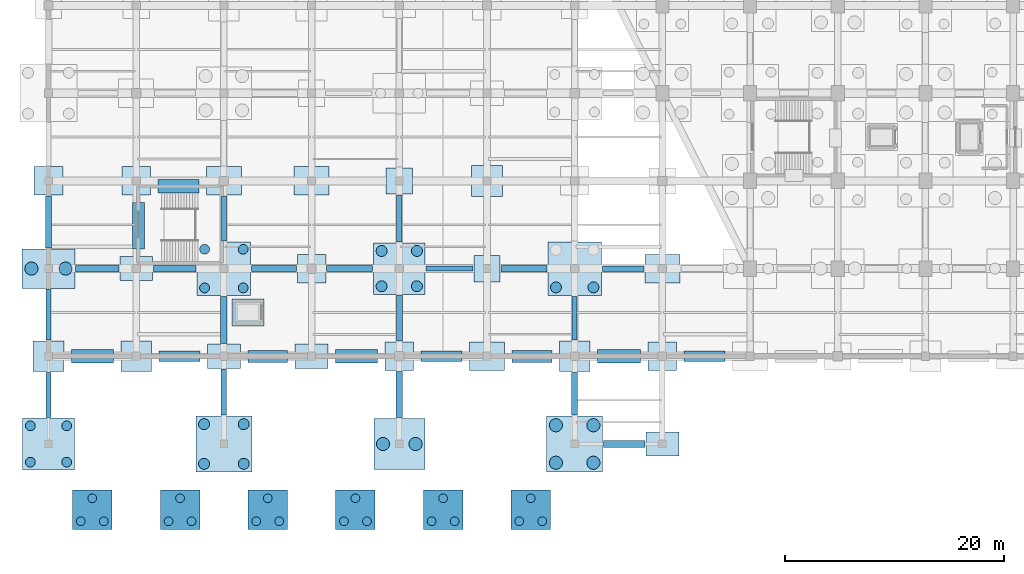
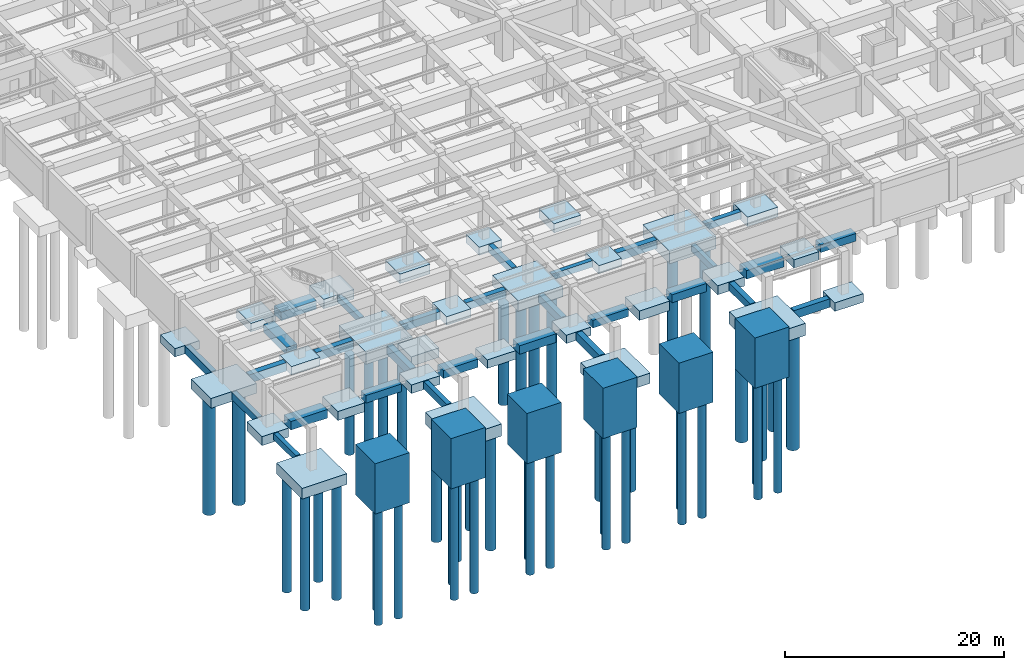
# One storey, part 1 of 36: 63 footings, 44 piles.
"""IFC4 building model written with IfcOpenShell, lengths in metres."""

from ifc_helpers import new_model, si_unit, direction, frame, origin, origin_2d, place, context, subcontext, project, spatial, rectangle, circle, extrude, material, material_profile, profile_set, type_object, element, save


model = new_model("IFC4")

# Units and contexts
model_context = context("Model", 3, precision=1e-05, world=origin(), true_north=direction((0.0, 1.0)))
body_context = subcontext(model_context, "Body", "Model", "MODEL_VIEW")
ifc_project = project(units=[si_unit("LENGTHUNIT", "METRE"), si_unit("AREAUNIT", "SQUARE_METRE"), si_unit("VOLUMEUNIT", "CUBIC_METRE"), si_unit("PLANEANGLEUNIT", "RADIAN"), si_unit("MASSUNIT", "GRAM", prefix="KILO")], contexts=[model_context])

# Site, building, storey
site_placement = place(None, origin())
site = spatial("IfcSite", under=ifc_project, at=site_placement, CompositionType="ELEMENT")
building_placement = place(site_placement, origin())
building = spatial("IfcBuilding", under=site, at=building_placement, Name="Tazarka Park Arena", CompositionType="ELEMENT")
storey_placement = place(building_placement, frame((0.0, 0.0, -4.800048828125)))
storey = spatial("IfcBuildingStorey", under=building, at=storey_placement, Name="B1", CompositionType="ELEMENT", Elevation=-4.800048828125)

# Footings
ifc_material_1 = material(Name="Concrete C35/45", Category="concrete")
footing_type_1 = type_object("IfcFootingType", Name="CAP-PC-01", PredefinedType="PILE_CAP", material=ifc_material_1)
for number, where, z_axis, x_axis, name in (
    (1, (0.0, 0.0, -1.19970703125), (0.0, 0.0, 1.0), (1.0, 0.0, 0.0), "CAP-G-00-00"),
    (2, (32.0, 16.0, -1.19970703125), (0.0, 0.0, 1.0), (1.0, 0.0, 0.0), "CAP-G-04-02"),
):
    element("IfcFooting", number, at=place(storey_placement, frame(where, z_axis=z_axis, x_axis=x_axis)), inside=storey, type_object=footing_type_1, Name=name, PredefinedType="PILE_CAP", context=body_context, shape_type="SweptSolid", body=[
        extrude(rectangle(XDim=4.699951171875, YDim=4.699951171875, at=origin_2d()), origin(), (0.0, 0.0, 1.0), 1.199951171875),
    ])
ifc_material_2 = material(Name="Concrete C35/45", Category="concrete")
footing_type_2 = type_object("IfcFootingType", Name="CAP-PC-02", PredefinedType="PILE_CAP", material=ifc_material_2)
for number, where, z_axis, x_axis, name in (
    (3, (16.0, 16.0, -1.39990234375), (0.0, 0.0, 1.0), (1.0, 0.0, 0.0), "CAP-G-02-02"),
    (4, (48.0, 16.0, -1.39990234375), (0.0, 0.0, 1.0), (1.0, 0.0, 0.0), "CAP-G-06-02"),
):
    element("IfcFooting", number, at=place(storey_placement, frame(where, z_axis=z_axis, x_axis=x_axis)), inside=storey, type_object=footing_type_2, Name=name, PredefinedType="PILE_CAP", context=body_context, shape_type="SweptSolid", body=[
        extrude(rectangle(XDim=4.89990234375, YDim=4.89990234375, at=origin_2d()), origin(), (0.0, 0.0, 1.0), 1.39990234375),
    ])
ifc_material_3 = material(Name="Concrete C35/45", Category="concrete")
footing_type_3 = type_object("IfcFootingType", Name="CAP-PC-03", PredefinedType="PILE_CAP", material=ifc_material_3)
footing_1_placement = place(storey_placement, frame((0.0, 16.0, -1.10009765625), z_axis=(0.0, 0.0, 1.0), x_axis=(1.0, 0.0, 0.0)))
element("IfcFooting", 5, at=footing_1_placement, inside=storey, type_object=footing_type_3, Name="CAP-G-00-02", PredefinedType="PILE_CAP", context=body_context, shape_type="SweptSolid", body=[
    extrude(rectangle(XDim=4.800048828125, YDim=3.60009765625, at=origin_2d()), origin(), (0.0, 0.0, 1.0), 1.10009765625),
])
ifc_material_4 = material(Name="Concrete C35/45", Category="concrete")
footing_type_4 = type_object("IfcFootingType", Name="CAP-PC-07", PredefinedType="PILE_CAP", material=ifc_material_4)
footing_2_placement = place(storey_placement, frame((32.0, 0.0, -1.14990234375), z_axis=(0.0, 0.0, 1.0), x_axis=(1.0, 0.0, 0.0)))
element("IfcFooting", 6, at=footing_2_placement, inside=storey, type_object=footing_type_4, Name="CAP-G-04-00", PredefinedType="PILE_CAP", context=body_context, shape_type="SweptSolid", body=[
    extrude(rectangle(XDim=4.64990234375, YDim=4.64990234375, at=origin_2d()), origin(), (0.0, 0.0, 1.0), 1.14990234375),
])
for number, where, z_axis, x_axis, name in (
    (7, (4.0, -6.0, -1.14990234375), (0.0, 0.0, 1.0), (1.0, 0.0, 0.0), "CAP-RMP-01"),
    (8, (12.0, -6.0, -1.14990234375), (0.0, 0.0, 1.0), (1.0, 0.0, 0.0), "CAP-RMP-02"),
    (9, (20.0, -6.0, -1.14990234375), (0.0, 0.0, 1.0), (1.0, 0.0, 0.0), "CAP-RMP-03"),
    (10, (28.0, -6.0, -1.14990234375), (0.0, 0.0, 1.0), (1.0, 0.0, 0.0), "CAP-RMP-04"),
    (11, (36.0, -6.0, -1.14990234375), (0.0, 0.0, 1.0), (1.0, 0.0, 0.0), "CAP-RMP-05"),
    (12, (44.0, -6.0, -1.14990234375), (0.0, 0.0, 1.0), (1.0, 0.0, 0.0), "CAP-RMP-06"),
):
    element("IfcFooting", number, at=place(storey_placement, frame(where, z_axis=z_axis, x_axis=x_axis)), inside=storey, type_object=footing_type_4, Name=name, PredefinedType="PILE_CAP", context=body_context, shape_type="SweptSolid", body=[
        extrude(rectangle(XDim=3.60009765625, YDim=3.60009765625, at=origin_2d()), origin(), (0.0, 0.0, 1.0), 5.60009765625),
    ])
ifc_material_5 = material(Name="Concrete C35/45", Category="concrete")
footing_type_5 = type_object("IfcFootingType", Name="CAP-PC-08", PredefinedType="PILE_CAP", material=ifc_material_5)
for number, where, z_axis, x_axis, name in (
    (13, (16.0, 0.0, -1.35009765625), (0.0, 0.0, 1.0), (1.0, 0.0, 0.0), "CAP-G-02-00"),
    (14, (48.0, 0.0, -1.35009765625), (0.0, 0.0, 1.0), (1.0, 0.0, 0.0), "CAP-G-06-00"),
):
    element("IfcFooting", number, at=place(storey_placement, frame(where, z_axis=z_axis, x_axis=x_axis)), inside=storey, type_object=footing_type_5, Name=name, PredefinedType="PILE_CAP", context=body_context, shape_type="SweptSolid", body=[
        extrude(rectangle(XDim=5.10009765625, YDim=5.10009765625, at=origin_2d()), origin(), (0.0, 0.0, 1.0), 1.35009765625),
    ])
ifc_material_6 = material(Name="Concrete C35/45", Category="concrete")
ifc_material_profile_1 = material_profile(ifc_material_6, rectangle(XDim=0.449951171875, YDim=0.699951171875, at=origin_2d()), Name="Concrete C35/45")
ifc_profile_set_1 = profile_set([ifc_material_profile_1], Name="Concrete C35/45")
footing_type_6 = type_object("IfcFootingType", Name="GB-GB-01", PredefinedType="FOOTING_BEAM", material=ifc_profile_set_1)
for number, where, z_axis, x_axis, name in (
    (15, (0.0, 2.429931640625, -0.349853515625), (0.0, 1.0, 0.0), (-1.0, 0.0, 0.0), "GB-Y-00-00"),
    (16, (16.0, 18.530029296875, -0.349853515625), (0.0, 1.0, 0.0), (-1.0, 0.0, 0.0), "GB-Y-02-02"),
):
    element("IfcFooting", number, at=place(storey_placement, frame(where, z_axis=z_axis, x_axis=x_axis)), inside=storey, type_object=footing_type_6, Name=name, PredefinedType="FOOTING_BEAM", context=body_context, shape_type="SweptSolid", body=[
        extrude(rectangle(XDim=0.449951171875, YDim=0.699951171875, at=origin_2d()), origin(), (0.0, 0.0, 1.0), 4.090087890625),
    ])
footing_3_placement = place(storey_placement, frame((34.429931640625, 16.0, -0.349853515625), z_axis=(1.0, 0.0, 0.0), x_axis=(0.0, 1.0, 0.0)))
element("IfcFooting", 17, at=footing_3_placement, inside=storey, type_object=footing_type_6, Name="GB-X-04-02", PredefinedType="FOOTING_BEAM", context=body_context, shape_type="SweptSolid", body=[
    extrude(rectangle(XDim=0.449951171875, YDim=0.699951171875, at=origin_2d()), origin(), (0.0, 0.0, 1.0), 4.2900390625),
])
footing_4_placement = place(storey_placement, frame((48.0, 9.47998046875, -0.349853515625), z_axis=(0.0, 1.0, 0.0), x_axis=(-1.0, 0.0, 0.0)))
element("IfcFooting", 18, at=footing_4_placement, inside=storey, type_object=footing_type_6, Name="GB-Y-06-01", PredefinedType="FOOTING_BEAM", context=body_context, shape_type="SweptSolid", body=[
    extrude(rectangle(XDim=0.449951171875, YDim=0.699951171875, at=origin_2d()), origin(), (0.0, 0.0, 1.0), 3.989990234375),
])
ifc_material_7 = material(Name="Concrete C35/45", Category="concrete")
ifc_material_profile_2 = material_profile(ifc_material_7, rectangle(XDim=0.5, YDim=0.800048828125, at=origin_2d()), Name="Concrete C35/45")
ifc_profile_set_2 = profile_set([ifc_material_profile_2], Name="Concrete C35/45")
footing_type_7 = type_object("IfcFootingType", Name="GB-GB-02", PredefinedType="FOOTING_BEAM", material=ifc_profile_set_2)
footing_5_placement = place(storey_placement, frame((0.0, 9.47998046875, -0.39990234375), z_axis=(0.0, 1.0, 0.0), x_axis=(-1.0, 0.0, 0.0)))
element("IfcFooting", 19, at=footing_5_placement, inside=storey, type_object=footing_type_7, Name="GB-Y-00-01", PredefinedType="FOOTING_BEAM", context=body_context, shape_type="SweptSolid", body=[
    extrude(rectangle(XDim=0.5, YDim=0.800048828125, at=origin_2d()), origin(), (0.0, 0.0, 1.0), 4.64013671875),
])
footing_6_placement = place(storey_placement, frame((16.0, 2.6298828125, -0.39990234375), z_axis=(0.0, 1.0, 0.0), x_axis=(-1.0, 0.0, 0.0)))
element("IfcFooting", 20, at=footing_6_placement, inside=storey, type_object=footing_type_7, Name="GB-Y-02-00", PredefinedType="FOOTING_BEAM", context=body_context, shape_type="SweptSolid", body=[
    extrude(rectangle(XDim=0.5, YDim=0.800048828125, at=origin_2d()), origin(), (0.0, 0.0, 1.0), 4.190185546875),
])
footing_7_placement = place(storey_placement, frame((32.0, 18.429931640625, -0.39990234375), z_axis=(0.0, 1.0, 0.0), x_axis=(-1.0, 0.0, 0.0)))
element("IfcFooting", 21, at=footing_7_placement, inside=storey, type_object=footing_type_7, Name="GB-Y-04-02", PredefinedType="FOOTING_BEAM", context=body_context, shape_type="SweptSolid", body=[
    extrude(rectangle(XDim=0.5, YDim=0.800048828125, at=origin_2d()), origin(), (0.0, 0.0, 1.0), 4.2900390625),
])
footing_8_placement = place(storey_placement, frame((50.530029296875, 16.0, -0.39990234375), z_axis=(1.0, 0.0, 0.0), x_axis=(0.0, 1.0, 0.0)))
element("IfcFooting", 22, at=footing_8_placement, inside=storey, type_object=footing_type_7, Name="GB-X-06-02", PredefinedType="FOOTING_BEAM", context=body_context, shape_type="SweptSolid", body=[
    extrude(rectangle(XDim=0.5, YDim=0.800048828125, at=origin_2d()), origin(), (0.0, 0.0, 1.0), 3.7900390625),
])
ifc_material_8 = material(Name="Concrete C35/45", Category="concrete")
ifc_material_profile_3 = material_profile(ifc_material_8, rectangle(XDim=0.60009765625, YDim=0.949951171875, at=origin_2d()), Name="Concrete C35/45")
ifc_profile_set_3 = profile_set([ifc_material_profile_3], Name="Concrete C35/45")
footing_type_8 = type_object("IfcFootingType", Name="GB-GB-03", PredefinedType="FOOTING_BEAM", material=ifc_profile_set_3)
footing_9_placement = place(storey_placement, frame((2.47998046875, 16.0, -0.474853515625), z_axis=(1.0, 0.0, 0.0), x_axis=(0.0, 1.0, 0.0)))
element("IfcFooting", 23, at=footing_9_placement, inside=storey, type_object=footing_type_8, Name="GB-X-00-02", PredefinedType="FOOTING_BEAM", context=body_context, shape_type="SweptSolid", body=[
    extrude(rectangle(XDim=0.60009765625, YDim=0.949951171875, at=origin_2d()), origin(), (0.0, 0.0, 1.0), 3.93994140625),
])
footing_10_placement = place(storey_placement, frame((9.580078125, 16.0, -0.474853515625), z_axis=(1.0, 0.0, 0.0), x_axis=(0.0, 1.0, 0.0)))
element("IfcFooting", 24, at=footing_10_placement, inside=storey, type_object=footing_type_8, Name="GB-X-01-02", PredefinedType="FOOTING_BEAM", context=body_context, shape_type="SweptSolid", body=[
    extrude(rectangle(XDim=0.60009765625, YDim=0.949951171875, at=origin_2d()), origin(), (0.0, 0.0, 1.0), 3.889892578125),
])
footing_11_placement = place(storey_placement, frame((16.0, 9.179931640625, -0.474853515625), z_axis=(0.0, 1.0, 0.0), x_axis=(-1.0, 0.0, 0.0)))
element("IfcFooting", 25, at=footing_11_placement, inside=storey, type_object=footing_type_8, Name="GB-Y-02-01", PredefinedType="FOOTING_BEAM", context=body_context, shape_type="SweptSolid", body=[
    extrude(rectangle(XDim=0.60009765625, YDim=0.949951171875, at=origin_2d()), origin(), (0.0, 0.0, 1.0), 4.2900390625),
])
footing_12_placement = place(storey_placement, frame((32.0, 2.405029296875, -0.474853515625), z_axis=(0.0, 1.0, 0.0), x_axis=(-1.0, 0.0, 0.0)))
element("IfcFooting", 26, at=footing_12_placement, inside=storey, type_object=footing_type_8, Name="GB-Y-04-00", PredefinedType="FOOTING_BEAM", context=body_context, shape_type="SweptSolid", body=[
    extrude(rectangle(XDim=0.60009765625, YDim=0.949951171875, at=origin_2d()), origin(), (0.0, 0.0, 1.0), 4.215087890625),
])
footing_13_placement = place(storey_placement, frame((41.280029296875, 16.0, -0.474853515625), z_axis=(1.0, 0.0, 0.0), x_axis=(0.0, 1.0, 0.0)))
element("IfcFooting", 27, at=footing_13_placement, inside=storey, type_object=footing_type_8, Name="GB-X-05-02", PredefinedType="FOOTING_BEAM", context=body_context, shape_type="SweptSolid", body=[
    extrude(rectangle(XDim=0.60009765625, YDim=0.949951171875, at=origin_2d()), origin(), (0.0, 0.0, 1.0), 4.18994140625),
])
footing_14_placement = place(storey_placement, frame((50.6298828125, 0.0, -0.474853515625), z_axis=(1.0, 0.0, 0.0), x_axis=(0.0, 1.0, 0.0)))
element("IfcFooting", 28, at=footing_14_placement, inside=storey, type_object=footing_type_8, Name="GB-X-06-00", PredefinedType="FOOTING_BEAM", context=body_context, shape_type="SweptSolid", body=[
    extrude(rectangle(XDim=0.60009765625, YDim=0.949951171875, at=origin_2d()), origin(), (0.0, 0.0, 1.0), 3.7900390625),
])
ifc_material_9 = material(Name="Concrete C35/45", Category="concrete")
ifc_material_profile_4 = material_profile(ifc_material_9, rectangle(XDim=0.550048828125, YDim=0.85009765625, at=origin_2d()), Name="Concrete C35/45")
ifc_profile_set_4 = profile_set([ifc_material_profile_4], Name="Concrete C35/45")
footing_type_9 = type_object("IfcFootingType", Name="GB-GB-04", PredefinedType="FOOTING_BEAM", material=ifc_profile_set_4)
footing_15_placement = place(storey_placement, frame((0.0, 17.8798828125, -0.425048828125), z_axis=(0.0, 1.0, 0.0), x_axis=(-1.0, 0.0, 0.0)))
element("IfcFooting", 29, at=footing_15_placement, inside=storey, type_object=footing_type_9, Name="GB-Y-00-02", PredefinedType="FOOTING_BEAM", context=body_context, shape_type="SweptSolid", body=[
    extrude(rectangle(XDim=0.550048828125, YDim=0.85009765625, at=origin_2d()), origin(), (0.0, 0.0, 1.0), 4.740234375),
])
footing_16_placement = place(storey_placement, frame((18.530029296875, 16.0, -0.425048828125), z_axis=(1.0, 0.0, 0.0), x_axis=(0.0, 1.0, 0.0)))
element("IfcFooting", 30, at=footing_16_placement, inside=storey, type_object=footing_type_9, Name="GB-X-02-02", PredefinedType="FOOTING_BEAM", context=body_context, shape_type="SweptSolid", body=[
    extrude(rectangle(XDim=0.550048828125, YDim=0.85009765625, at=origin_2d()), origin(), (0.0, 0.0, 1.0), 4.090087890625),
])
for number, where, z_axis, x_axis, name in (
    (31, (25.3798828125, 16.0, -0.425048828125), (1.0, 0.0, 0.0), (0.0, 1.0, 0.0), "GB-X-03-02"),
    (32, (32.0, 9.3798828125, -0.425048828125), (0.0, 1.0, 0.0), (-1.0, 0.0, 0.0), "GB-Y-04-01"),
):
    element("IfcFooting", number, at=place(storey_placement, frame(where, z_axis=z_axis, x_axis=x_axis)), inside=storey, type_object=footing_type_9, Name=name, PredefinedType="FOOTING_BEAM", context=body_context, shape_type="SweptSolid", body=[
        extrude(rectangle(XDim=0.550048828125, YDim=0.85009765625, at=origin_2d()), origin(), (0.0, 0.0, 1.0), 4.190185546875),
    ])
footing_17_placement = place(storey_placement, frame((48.0, 2.6298828125, -0.425048828125), z_axis=(0.0, 1.0, 0.0), x_axis=(-1.0, 0.0, 0.0)))
element("IfcFooting", 33, at=footing_17_placement, inside=storey, type_object=footing_type_9, Name="GB-Y-06-00", PredefinedType="FOOTING_BEAM", context=body_context, shape_type="SweptSolid", body=[
    extrude(rectangle(XDim=0.550048828125, YDim=0.85009765625, at=origin_2d()), origin(), (0.0, 0.0, 1.0), 3.89013671875),
])
ifc_material_10 = material(Name="Concrete C35/45", Category="concrete")
footing_type_10 = type_object("IfcFootingType", Name="PAD-PF-01", PredefinedType="PAD_FOOTING", material=ifc_material_10)
for number, where, z_axis, x_axis, name in (
    (34, (32.0, 24.0, -0.89990234375), (0.0, 0.0, 1.0), (1.0, 0.0, 0.0), "PAD-G-04-03"),
    (35, (40.0, 16.0, -0.89990234375), (0.0, 0.0, 1.0), (1.0, 0.0, 0.0), "PAD-G-05-02"),
):
    element("IfcFooting", number, at=place(storey_placement, frame(where, z_axis=z_axis, x_axis=x_axis)), inside=storey, type_object=footing_type_10, Name=name, PredefinedType="PAD_FOOTING", context=body_context, shape_type="SweptSolid", body=[
        extrude(rectangle(XDim=2.39990234375, YDim=2.39990234375, at=origin_2d()), origin(), (0.0, 0.0, 1.0), 0.89990234375),
    ])
ifc_material_11 = material(Name="Concrete C35/45", Category="concrete")
footing_type_11 = type_object("IfcFootingType", Name="PAD-PF-02", PredefinedType="PAD_FOOTING", material=ifc_material_11)
for number, where, z_axis, x_axis, name in (
    (36, (0.0, 8.0, -1.0), (0.0, 0.0, 1.0), (1.0, 0.0, 0.0), "PAD-G-00-01"),
    (37, (8.0, 8.0, -1.0), (0.0, 0.0, 1.0), (1.0, 0.0, 0.0), "PAD-G-01-01"),
    (38, (40.0, 24.0, -1.0), (0.0, 0.0, 1.0), (1.0, 0.0, 0.0), "PAD-G-05-03"),
    (39, (48.0, 8.0, -1.0), (0.0, 0.0, 1.0), (1.0, 0.0, 0.0), "PAD-G-06-01"),
):
    element("IfcFooting", number, at=place(storey_placement, frame(where, z_axis=z_axis, x_axis=x_axis)), inside=storey, type_object=footing_type_11, Name=name, PredefinedType="PAD_FOOTING", context=body_context, shape_type="SweptSolid", body=[
        extrude(rectangle(XDim=2.800048828125, YDim=2.800048828125, at=origin_2d()), origin(), (0.0, 0.0, 1.0), 1.0),
    ])
ifc_material_12 = material(Name="Concrete C35/45", Category="concrete")
footing_type_12 = type_object("IfcFootingType", Name="PAD-PF-03", PredefinedType="PAD_FOOTING", material=ifc_material_12)
for number, where, z_axis, x_axis, name in (
    (40, (8.0, 16.0, -0.94970703125), (0.0, 0.0, 1.0), (1.0, 0.0, 0.0), "PAD-G-01-02"),
    (41, (16.0, 8.0, -0.94970703125), (0.0, 0.0, 1.0), (1.0, 0.0, 0.0), "PAD-G-02-01"),
    (42, (24.0, 8.0, -0.94970703125), (0.0, 0.0, 1.0), (1.0, 0.0, 0.0), "PAD-G-03-01"),
    (43, (56.0, 0.0, -0.94970703125), (0.0, 0.0, 1.0), (1.0, 0.0, 0.0), "PAD-G-07-00"),
):
    element("IfcFooting", number, at=place(storey_placement, frame(where, z_axis=z_axis, x_axis=x_axis)), inside=storey, type_object=footing_type_12, Name=name, PredefinedType="PAD_FOOTING", context=body_context, shape_type="SweptSolid", body=[
        extrude(rectangle(XDim=3.0, YDim=2.199951171875, at=origin_2d()), origin(), (0.0, 0.0, 1.0), 0.949951171875),
    ])
ifc_material_13 = material(Name="Concrete C35/45", Category="concrete")
footing_type_13 = type_object("IfcFootingType", Name="PAD-PF-04", PredefinedType="PAD_FOOTING", material=ifc_material_13)
for number, where, z_axis, x_axis, name in (
    (44, (0.0, 24.0, -0.919921875), (0.0, 0.0, 1.0), (1.0, 0.0, 0.0), "PAD-G-00-03"),
    (45, (8.0, 24.0, -0.919921875), (0.0, 0.0, 1.0), (1.0, 0.0, 0.0), "PAD-G-01-03"),
    (46, (24.0, 16.0, -0.919921875), (0.0, 0.0, 1.0), (1.0, 0.0, 0.0), "PAD-G-03-02"),
    (47, (32.0, 8.0, -0.919921875), (0.0, 0.0, 1.0), (1.0, 0.0, 0.0), "PAD-G-04-01"),
    (48, (56.0, 8.0, -0.919921875), (0.0, 0.0, 1.0), (1.0, 0.0, 0.0), "PAD-G-07-01"),
):
    element("IfcFooting", number, at=place(storey_placement, frame(where, z_axis=z_axis, x_axis=x_axis)), inside=storey, type_object=footing_type_13, Name=name, PredefinedType="PAD_FOOTING", context=body_context, shape_type="SweptSolid", body=[
        extrude(rectangle(XDim=2.60009765625, YDim=2.60009765625, at=origin_2d()), origin(), (0.0, 0.0, 1.0), 0.919921875),
    ])
ifc_material_14 = material(Name="Concrete C35/45", Category="concrete")
footing_type_14 = type_object("IfcFootingType", Name="PAD-PF-05", PredefinedType="PAD_FOOTING", material=ifc_material_14)
for number, where, z_axis, x_axis, name in (
    (49, (16.0, 24.0, -1.0498046875), (0.0, 0.0, 1.0), (1.0, 0.0, 0.0), "PAD-G-02-03"),
    (50, (24.0, 24.0, -1.0498046875), (0.0, 0.0, 1.0), (1.0, 0.0, 0.0), "PAD-G-03-03"),
    (51, (40.0, 8.0, -1.0498046875), (0.0, 0.0, 1.0), (1.0, 0.0, 0.0), "PAD-G-05-01"),
    (52, (56.0, 16.0, -1.0498046875), (0.0, 0.0, 1.0), (1.0, 0.0, 0.0), "PAD-G-07-02"),
):
    element("IfcFooting", number, at=place(storey_placement, frame(where, z_axis=z_axis, x_axis=x_axis)), inside=storey, type_object=footing_type_14, Name=name, PredefinedType="PAD_FOOTING", context=body_context, shape_type="SweptSolid", body=[
        extrude(rectangle(XDim=3.199951171875, YDim=2.60009765625, at=origin_2d()), origin(), (0.0, 0.0, 1.0), 1.050048828125),
    ])
footing_18_placement = place(storey_placement, frame((18.199951171875, 12.0, -1.0498046875), z_axis=(0.0, 0.0, 1.0), x_axis=(1.0, 0.0, 0.0)))
element("IfcFooting", 53, at=footing_18_placement, inside=storey, type_object=footing_type_14, Name="PAD-LF-LF-05", PredefinedType="PAD_FOOTING", context=body_context, shape_type="SweptSolid", body=[
    extrude(rectangle(XDim=2.93994140625, YDim=2.43994140625, at=origin_2d()), origin(), (0.0, 0.0, 1.0), 1.050048828125),
])

# Piles
ifc_material_15 = material(Name="Concrete C35/45", Category="concrete")
ifc_material_profile_5 = material_profile(ifc_material_15, circle(Radius=0.5, at=origin_2d()), Name="Concrete C35/45")
ifc_profile_set_5 = profile_set([ifc_material_profile_5], Name="Concrete C35/45")
pile_type_1 = type_object("IfcPileType", Name="PILE-D1000", PredefinedType="BORED", material=ifc_profile_set_5)
for number, where, z_axis, x_axis, name in (
    (54, (14.18994140625, -1.81005859375, -1.25), (0.0, 0.0, -1.0), (1.0, 0.0, 0.0), "PLN-G-02-00-1"),
    (55, (17.81005859375, -1.81005859375, -1.25), (0.0, 0.0, -1.0), (1.0, 0.0, 0.0), "PLN-G-02-00-2"),
    (56, (14.18994140625, 1.81005859375, -1.25), (0.0, 0.0, -1.0), (1.0, 0.0, 0.0), "PLN-G-02-00-3"),
    (57, (17.81005859375, 1.81005859375, -1.25), (0.0, 0.0, -1.0), (1.0, 0.0, 0.0), "PLN-G-02-00-4"),
):
    element("IfcPile", number, at=place(storey_placement, frame(where, z_axis=z_axis, x_axis=x_axis)), inside=storey, type_object=pile_type_1, Name=name, PredefinedType="BORED", context=body_context, shape_type="SweptSolid", body=[
        extrude(circle(Radius=0.5, at=origin_2d()), origin(), (0.0, 0.0, 1.0), 12.75),
    ])
for number, where, z_axis, x_axis, name in (
    (58, (30.389892578125, 14.389892578125, -1.099853515625), (0.0, 0.0, -1.0), (1.0, 0.0, 0.0), "PLN-G-04-02-1"),
    (59, (33.610107421875, 14.389892578125, -1.099853515625), (0.0, 0.0, -1.0), (1.0, 0.0, 0.0), "PLN-G-04-02-2"),
    (60, (30.389892578125, 17.610107421875, -1.099853515625), (0.0, 0.0, -1.0), (1.0, 0.0, 0.0), "PLN-G-04-02-3"),
    (61, (33.610107421875, 17.610107421875, -1.099853515625), (0.0, 0.0, -1.0), (1.0, 0.0, 0.0), "PLN-G-04-02-4"),
):
    element("IfcPile", number, at=place(storey_placement, frame(where, z_axis=z_axis, x_axis=x_axis)), inside=storey, type_object=pile_type_1, Name=name, PredefinedType="BORED", context=body_context, shape_type="SweptSolid", body=[
        extrude(circle(Radius=0.5, at=origin_2d()), origin(), (0.0, 0.0, 1.0), 12.89990234375),
    ])
for number, where, z_axis, x_axis, name in (
    (62, (46.2900390625, 14.2900390625, -1.300048828125), (0.0, 0.0, -1.0), (1.0, 0.0, 0.0), "PLN-G-06-02-1"),
    (63, (49.7099609375, 14.2900390625, -1.300048828125), (0.0, 0.0, -1.0), (1.0, 0.0, 0.0), "PLN-G-06-02-2"),
):
    element("IfcPile", number, at=place(storey_placement, frame(where, z_axis=z_axis, x_axis=x_axis)), inside=storey, type_object=pile_type_1, Name=name, PredefinedType="BORED", context=body_context, shape_type="SweptSolid", body=[
        extrude(circle(Radius=0.5, at=origin_2d()), origin(), (0.0, 0.0, 1.0), 12.699951171875),
    ])
ifc_material_16 = material(Name="Concrete C35/45", Category="concrete")
ifc_material_profile_6 = material_profile(ifc_material_16, circle(Radius=0.60009765625, at=origin_2d()), Name="Concrete C35/45")
ifc_profile_set_6 = profile_set([ifc_material_profile_6], Name="Concrete C35/45")
pile_type_2 = type_object("IfcPileType", Name="PILE-D1200", PredefinedType="BORED", material=ifc_profile_set_6)
for number, where, z_axis, x_axis, name in (
    (64, (-1.56005859375, 16.0, -1.0), (0.0, 0.0, -1.0), (1.0, 0.0, 0.0), "PLN-G-00-02-1"),
    (65, (1.56005859375, 16.0, -1.0), (0.0, 0.0, -1.0), (1.0, 0.0, 0.0), "PLN-G-00-02-2"),
):
    element("IfcPile", number, at=place(storey_placement, frame(where, z_axis=z_axis, x_axis=x_axis)), inside=storey, type_object=pile_type_2, Name=name, PredefinedType="BORED", context=body_context, shape_type="SweptSolid", body=[
        extrude(circle(Radius=0.60009765625, at=origin_2d()), origin(), (0.0, 0.0, 1.0), 13.0),
    ])
for number, where, z_axis, x_axis, name in (
    (66, (30.514892578125, 0.0, -1.050048828125), (0.0, 0.0, -1.0), (1.0, 0.0, 0.0), "PLN-G-04-00-1"),
    (67, (33.485107421875, 0.0, -1.050048828125), (0.0, 0.0, -1.0), (1.0, 0.0, 0.0), "PLN-G-04-00-2"),
):
    element("IfcPile", number, at=place(storey_placement, frame(where, z_axis=z_axis, x_axis=x_axis)), inside=storey, type_object=pile_type_2, Name=name, PredefinedType="BORED", context=body_context, shape_type="SweptSolid", body=[
        extrude(circle(Radius=0.60009765625, at=origin_2d()), origin(), (0.0, 0.0, 1.0), 12.949951171875),
    ])
for number, where, z_axis, x_axis, name in (
    (68, (46.2900390625, -1.7099609375, -1.25), (0.0, 0.0, -1.0), (1.0, 0.0, 0.0), "PLN-G-06-00-1"),
    (69, (49.7099609375, -1.7099609375, -1.25), (0.0, 0.0, -1.0), (1.0, 0.0, 0.0), "PLN-G-06-00-2"),
    (70, (46.2900390625, 1.7099609375, -1.25), (0.0, 0.0, -1.0), (1.0, 0.0, 0.0), "PLN-G-06-00-3"),
    (71, (49.7099609375, 1.7099609375, -1.25), (0.0, 0.0, -1.0), (1.0, 0.0, 0.0), "PLN-G-06-00-4"),
):
    element("IfcPile", number, at=place(storey_placement, frame(where, z_axis=z_axis, x_axis=x_axis)), inside=storey, type_object=pile_type_2, Name=name, PredefinedType="BORED", context=body_context, shape_type="SweptSolid", body=[
        extrude(circle(Radius=0.60009765625, at=origin_2d()), origin(), (0.0, 0.0, 1.0), 12.75),
    ])
ifc_material_17 = material(Name="Concrete C35/45", Category="concrete")
ifc_material_profile_7 = material_profile(ifc_material_17, circle(Radius=0.39990234375, at=origin_2d()), Name="Concrete C35/45")
ifc_profile_set_7 = profile_set([ifc_material_profile_7], Name="Concrete C35/45")
pile_type_3 = type_object("IfcPileType", Name="PILE-D800", PredefinedType="BORED", material=ifc_profile_set_7)
for number, where, z_axis, x_axis, name in (
    (72, (2.949951171875, -7.050048828125, -1.050048828125), (0.0, 0.0, -1.0), (1.0, 0.0, 0.0), "PIL-RMP-01-1"),
    (73, (5.050048828125, -7.050048828125, -1.050048828125), (0.0, 0.0, -1.0), (1.0, 0.0, 0.0), "PIL-RMP-01-2"),
    (74, (4.0, -4.949951171875, -1.050048828125), (0.0, 0.0, -1.0), (1.0, 0.0, 0.0), "PIL-RMP-01-3"),
    (75, (10.949951171875, -7.050048828125, -1.050048828125), (0.0, 0.0, -1.0), (1.0, 0.0, 0.0), "PIL-RMP-02-1"),
    (76, (13.050048828125, -7.050048828125, -1.050048828125), (0.0, 0.0, -1.0), (1.0, 0.0, 0.0), "PIL-RMP-02-2"),
    (77, (12.0, -4.949951171875, -1.050048828125), (0.0, 0.0, -1.0), (1.0, 0.0, 0.0), "PIL-RMP-02-3"),
    (78, (18.949951171875, -7.050048828125, -1.050048828125), (0.0, 0.0, -1.0), (1.0, 0.0, 0.0), "PIL-RMP-03-1"),
    (79, (21.050048828125, -7.050048828125, -1.050048828125), (0.0, 0.0, -1.0), (1.0, 0.0, 0.0), "PIL-RMP-03-2"),
    (80, (20.0, -4.949951171875, -1.050048828125), (0.0, 0.0, -1.0), (1.0, 0.0, 0.0), "PIL-RMP-03-3"),
    (81, (26.949951171875, -7.050048828125, -1.050048828125), (0.0, 0.0, -1.0), (1.0, 0.0, 0.0), "PIL-RMP-04-1"),
    (82, (29.050048828125, -7.050048828125, -1.050048828125), (0.0, 0.0, -1.0), (1.0, 0.0, 0.0), "PIL-RMP-04-2"),
    (83, (28.0, -4.949951171875, -1.050048828125), (0.0, 0.0, -1.0), (1.0, 0.0, 0.0), "PIL-RMP-04-3"),
    (84, (34.949951171875, -7.050048828125, -1.050048828125), (0.0, 0.0, -1.0), (1.0, 0.0, 0.0), "PIL-RMP-05-1"),
    (85, (37.050048828125, -7.050048828125, -1.050048828125), (0.0, 0.0, -1.0), (1.0, 0.0, 0.0), "PIL-RMP-05-2"),
    (86, (36.0, -4.949951171875, -1.050048828125), (0.0, 0.0, -1.0), (1.0, 0.0, 0.0), "PIL-RMP-05-3"),
    (87, (42.949951171875, -7.050048828125, -1.050048828125), (0.0, 0.0, -1.0), (1.0, 0.0, 0.0), "PIL-RMP-06-1"),
    (88, (45.050048828125, -7.050048828125, -1.050048828125), (0.0, 0.0, -1.0), (1.0, 0.0, 0.0), "PIL-RMP-06-2"),
    (89, (44.0, -4.949951171875, -1.050048828125), (0.0, 0.0, -1.0), (1.0, 0.0, 0.0), "PIL-RMP-06-3"),
):
    element("IfcPile", number, at=place(storey_placement, frame(where, z_axis=z_axis, x_axis=x_axis)), inside=storey, type_object=pile_type_3, Name=name, PredefinedType="BORED", context=body_context, shape_type="SweptSolid", body=[
        extrude(circle(Radius=0.39990234375, at=origin_2d()), origin(), (0.0, 0.0, 1.0), 12.949951171875),
    ])
ifc_material_18 = material(Name="Concrete C35/45", Category="concrete")
ifc_material_profile_8 = material_profile(ifc_material_18, circle(Radius=0.449951171875, at=origin_2d()), Name="Concrete C35/45")
ifc_profile_set_8 = profile_set([ifc_material_profile_8], Name="Concrete C35/45")
pile_type_4 = type_object("IfcPileType", Name="PILE-D900", PredefinedType="BORED", material=ifc_profile_set_8)
for number, where, z_axis, x_axis, name in (
    (90, (-1.659912109375, -1.659912109375, -1.099853515625), (0.0, 0.0, -1.0), (1.0, 0.0, 0.0), "PLN-G-00-00-1"),
    (91, (1.659912109375, -1.659912109375, -1.099853515625), (0.0, 0.0, -1.0), (1.0, 0.0, 0.0), "PLN-G-00-00-2"),
    (92, (-1.659912109375, 1.659912109375, -1.099853515625), (0.0, 0.0, -1.0), (1.0, 0.0, 0.0), "PLN-G-00-00-3"),
    (93, (1.659912109375, 1.659912109375, -1.099853515625), (0.0, 0.0, -1.0), (1.0, 0.0, 0.0), "PLN-G-00-00-4"),
):
    element("IfcPile", number, at=place(storey_placement, frame(where, z_axis=z_axis, x_axis=x_axis)), inside=storey, type_object=pile_type_4, Name=name, PredefinedType="BORED", context=body_context, shape_type="SweptSolid", body=[
        extrude(circle(Radius=0.449951171875, at=origin_2d()), origin(), (0.0, 0.0, 1.0), 12.89990234375),
    ])
for number, where, z_axis, x_axis, name in (
    (94, (14.239990234375, 14.239990234375, -1.300048828125), (0.0, 0.0, -1.0), (1.0, 0.0, 0.0), "PLN-G-02-02-1"),
    (95, (17.760009765625, 14.239990234375, -1.300048828125), (0.0, 0.0, -1.0), (1.0, 0.0, 0.0), "PLN-G-02-02-2"),
    (96, (14.239990234375, 17.760009765625, -1.300048828125), (0.0, 0.0, -1.0), (1.0, 0.0, 0.0), "PLN-G-02-02-3"),
    (97, (17.760009765625, 17.760009765625, -1.300048828125), (0.0, 0.0, -1.0), (1.0, 0.0, 0.0), "PLN-G-02-02-4"),
):
    element("IfcPile", number, at=place(storey_placement, frame(where, z_axis=z_axis, x_axis=x_axis)), inside=storey, type_object=pile_type_4, Name=name, PredefinedType="BORED", context=body_context, shape_type="SweptSolid", body=[
        extrude(circle(Radius=0.449951171875, at=origin_2d()), origin(), (0.0, 0.0, 1.0), 12.699951171875),
    ])

# Footings
ifc_material_19 = material(Name="Concrete C35/45", Category="concrete")
ifc_material_profile_9 = material_profile(ifc_material_19, rectangle(XDim=0.949951171875, YDim=0.85009765625, at=origin_2d()), Name="Concrete C35/45")
ifc_profile_set_9 = profile_set([ifc_material_profile_9], Name="Concrete C35/45")
footing_type_15 = type_object("IfcFootingType", Name="SF-SF-01", PredefinedType="STRIP_FOOTING", material=ifc_profile_set_9)
for number, where, z_axis, x_axis, name in (
    (98, (13.820068359375, 8.0, -0.425048828125), (-1.0, 0.0, 0.0), (0.0, -1.0, 0.0), "SF-EW-0018"),
    (99, (37.719970703125, 8.0, -0.425048828125), (-1.0, 0.0, 0.0), (0.0, -1.0, 0.0), "SF-EW-0021"),
    (100, (61.719970703125, 8.0, -0.425048828125), (-1.0, 0.0, 0.0), (0.0, -1.0, 0.0), "SF-EW-0024"),
):
    element("IfcFooting", number, at=place(storey_placement, frame(where, z_axis=z_axis, x_axis=x_axis)), inside=storey, type_object=footing_type_15, Name=name, PredefinedType="STRIP_FOOTING", context=body_context, shape_type="SweptSolid", body=[
        extrude(rectangle(XDim=0.949951171875, YDim=0.85009765625, at=origin_2d()), origin(), (0.0, 0.0, 1.0), 3.739990234375),
    ])
ifc_material_20 = material(Name="Concrete C35/45", Category="concrete")
ifc_material_profile_10 = material_profile(ifc_material_20, rectangle(XDim=1.10009765625, YDim=0.89990234375, at=origin_2d()), Name="Concrete C35/45")
ifc_profile_set_10 = profile_set([ifc_material_profile_10], Name="Concrete C35/45")
footing_type_16 = type_object("IfcFootingType", Name="SF-SF-02", PredefinedType="STRIP_FOOTING", material=ifc_profile_set_10)
footing_19_placement = place(storey_placement, frame((21.820068359375, 8.0, -0.449951171875), z_axis=(-1.0, 0.0, 0.0), x_axis=(0.0, -1.0, 0.0)))
element("IfcFooting", 101, at=footing_19_placement, inside=storey, type_object=footing_type_16, Name="SF-EW-0019", PredefinedType="STRIP_FOOTING", context=body_context, shape_type="SweptSolid", body=[
    extrude(rectangle(XDim=1.10009765625, YDim=0.89990234375, at=origin_2d()), origin(), (0.0, 0.0, 1.0), 3.64013671875),
])
footing_20_placement = place(storey_placement, frame((45.919921875, 8.0, -0.449951171875), z_axis=(-1.0, 0.0, 0.0), x_axis=(0.0, -1.0, 0.0)))
element("IfcFooting", 102, at=footing_20_placement, inside=storey, type_object=footing_type_16, Name="SF-EW-0022", PredefinedType="STRIP_FOOTING", context=body_context, shape_type="SweptSolid", body=[
    extrude(rectangle(XDim=1.10009765625, YDim=0.89990234375, at=origin_2d()), origin(), (0.0, 0.0, 1.0), 3.639892578125),
])
footing_21_placement = place(storey_placement, frame((8.199951171875, 17.780029296875, -0.449951171875), z_axis=(0.0, 1.0, 0.0), x_axis=(-1.0, 0.0, 0.0)))
element("IfcFooting", 103, at=footing_21_placement, inside=storey, type_object=footing_type_16, Name="SF-ST17-W-1", PredefinedType="STRIP_FOOTING", context=body_context, shape_type="SweptSolid", body=[
    extrude(rectangle(XDim=1.10009765625, YDim=0.89990234375, at=origin_2d()), origin(), (0.0, 0.0, 1.0), 4.239990234375),
])
ifc_material_21 = material(Name="Concrete C35/45", Category="concrete")
ifc_material_profile_11 = material_profile(ifc_material_21, rectangle(XDim=1.25, YDim=0.949951171875, at=origin_2d()), Name="Concrete C35/45")
ifc_profile_set_11 = profile_set([ifc_material_profile_11], Name="Concrete C35/45")
footing_type_17 = type_object("IfcFootingType", Name="SF-SF-03", PredefinedType="STRIP_FOOTING", material=ifc_profile_set_11)
footing_22_placement = place(storey_placement, frame((5.919921875, 8.0, -0.474853515625), z_axis=(-1.0, 0.0, 0.0), x_axis=(0.0, -1.0, 0.0)))
element("IfcFooting", 104, at=footing_22_placement, inside=storey, type_object=footing_type_17, Name="SF-EW-0017", PredefinedType="STRIP_FOOTING", context=body_context, shape_type="SweptSolid", body=[
    extrude(rectangle(XDim=1.25, YDim=0.949951171875, at=origin_2d()), origin(), (0.0, 0.0, 1.0), 3.83984375),
])
footing_23_placement = place(storey_placement, frame((30.02001953125, 8.0, -0.474853515625), z_axis=(-1.0, 0.0, 0.0), x_axis=(0.0, -1.0, 0.0)))
element("IfcFooting", 105, at=footing_23_placement, inside=storey, type_object=footing_type_17, Name="SF-EW-0020", PredefinedType="STRIP_FOOTING", context=body_context, shape_type="SweptSolid", body=[
    extrude(rectangle(XDim=1.25, YDim=0.949951171875, at=origin_2d()), origin(), (0.0, 0.0, 1.0), 3.840087890625),
])
footing_24_placement = place(storey_placement, frame((54.02001953125, 8.0, -0.474853515625), z_axis=(-1.0, 0.0, 0.0), x_axis=(0.0, -1.0, 0.0)))
element("IfcFooting", 106, at=footing_24_placement, inside=storey, type_object=footing_type_17, Name="SF-EW-0023", PredefinedType="STRIP_FOOTING", context=body_context, shape_type="SweptSolid", body=[
    extrude(rectangle(XDim=1.25, YDim=0.949951171875, at=origin_2d()), origin(), (0.0, 0.0, 1.0), 3.93994140625),
])
footing_25_placement = place(storey_placement, frame((9.97998046875, 23.5, -0.474853515625), z_axis=(1.0, 0.0, 0.0), x_axis=(0.0, 1.0, 0.0)))
element("IfcFooting", 107, at=footing_25_placement, inside=storey, type_object=footing_type_17, Name="SF-ST17-N-1", PredefinedType="STRIP_FOOTING", context=body_context, shape_type="SweptSolid", body=[
    extrude(rectangle(XDim=1.25, YDim=0.949951171875, at=origin_2d()), origin(), (0.0, 0.0, 1.0), 3.739990234375),
])

save(model, "model.ifc")
